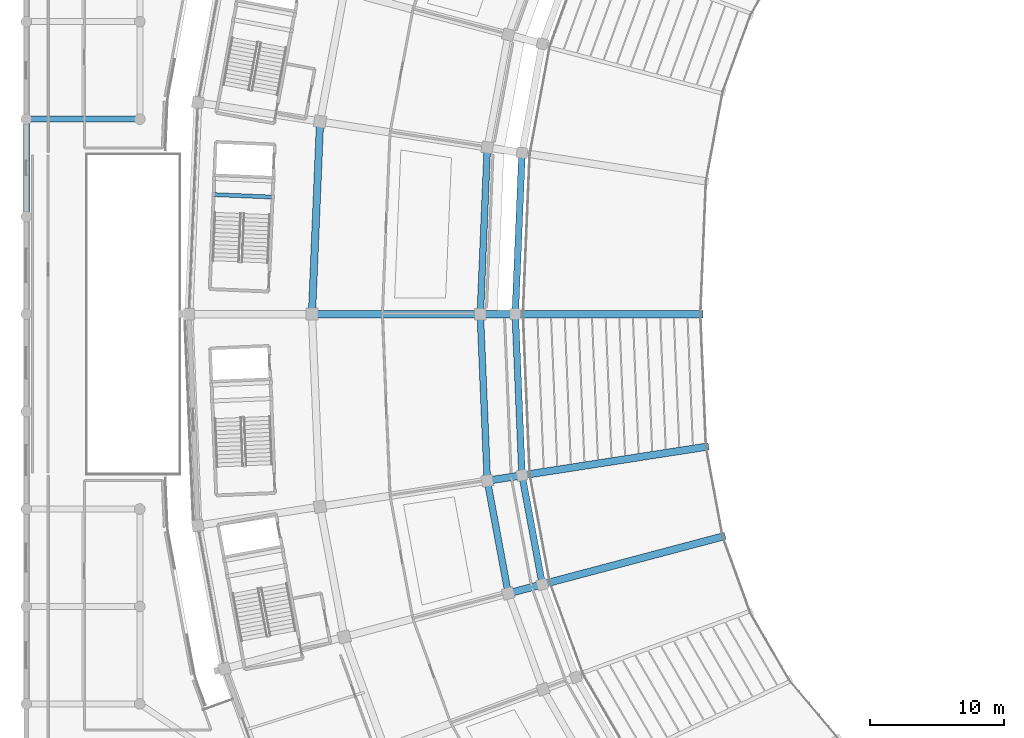
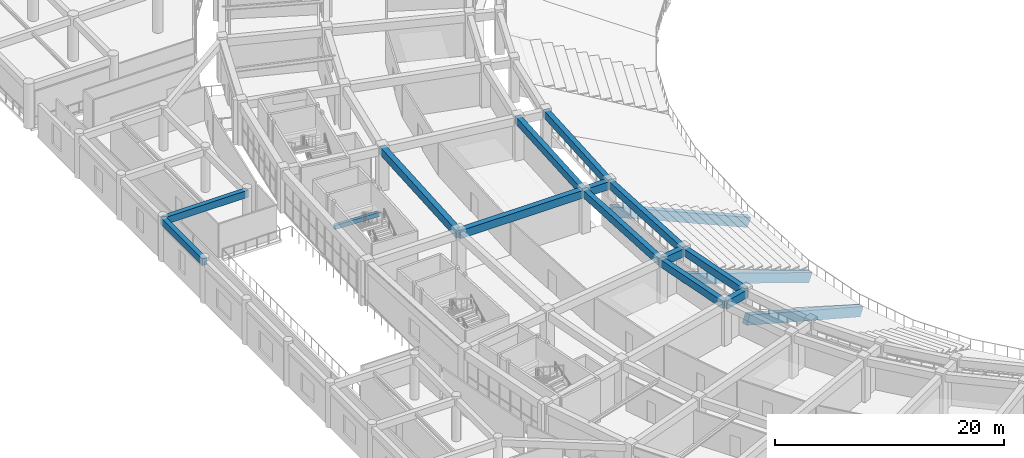
# One storey, part 29 of 152: 17 beams.
"""IFC4 building model written with IfcOpenShell, lengths in metres."""

from ifc_helpers import new_model, si_unit, direction, frame, origin, origin_2d, place, context, subcontext, project, spatial, rectangle, extrude, material, material_profile, profile_set, type_object, element, save


model = new_model("IFC4")

# Units and contexts
model_context = context("Model", 3, precision=1e-05, world=origin(), true_north=direction((0.0, 1.0)))
body_context = subcontext(model_context, "Body", "Model", "MODEL_VIEW")
ifc_project = project(units=[si_unit("LENGTHUNIT", "METRE"), si_unit("AREAUNIT", "SQUARE_METRE"), si_unit("VOLUMEUNIT", "CUBIC_METRE"), si_unit("PLANEANGLEUNIT", "RADIAN"), si_unit("MASSUNIT", "GRAM", prefix="KILO")], contexts=[model_context])

# Site, building, storey
site_placement = place(None, origin())
site = spatial("IfcSite", under=ifc_project, at=site_placement, CompositionType="ELEMENT")
building_placement = place(site_placement, origin())
building = spatial("IfcBuilding", under=site, at=building_placement, Name="Mphavela Belvedere Stadium", CompositionType="ELEMENT")
storey_placement = place(building_placement, frame((0.0, 0.0, 5.39990234375)))
storey = spatial("IfcBuildingStorey", under=building, at=storey_placement, Name="L01", CompositionType="ELEMENT", Elevation=5.39990234375)

# Beams
ifc_material_1 = material(Name="Precast concrete C45/55", Category="concrete")
ifc_material_profile_1 = material_profile(ifc_material_1, rectangle(XDim=0.550048828125, YDim=1.0, at=origin_2d()), Name="PC 550x1000")
ifc_profile_set_1 = profile_set([ifc_material_profile_1], Name="Precast concrete C45/55")
beam_type_1 = type_object("IfcBeamType", Name="BM-RAKER-LOWER", PredefinedType="USERDEFINED", material=ifc_profile_set_1)
beam_1_placement = place(storey_placement, frame((50.4951171875, 87.0, -4.75), z_axis=(-0.917816312637, 0.0, 0.397005310113), x_axis=(0.0, -1.0, 0.0)))
element("IfcBeam", 1, at=beam_1_placement, inside=storey, type_object=beam_type_1, Name="Lower tier precast raker beam RK-L-25", ObjectType="RAKER BEAM", PredefinedType="USERDEFINED", context=body_context, shape_type="SweptSolid", body=[
    extrude(rectangle(XDim=0.550048828125, YDim=1.0, at=origin_2d()), origin(), (0.0, 0.0, 1.0), 15.113037109375),
])
beam_2_placement = place(storey_placement, frame((50.911865234375, 77.0595703125, -4.75), z_axis=(-0.907737180871, -0.140804754034, 0.395205303236), x_axis=(0.153283098913, -0.988182316978, 0.0)))
element("IfcBeam", 2, at=beam_2_placement, inside=storey, type_object=beam_type_1, Name="Lower tier precast raker beam RK-L-26", ObjectType="RAKER BEAM", PredefinedType="USERDEFINED", context=body_context, shape_type="SweptSolid", body=[
    extrude(rectangle(XDim=0.550048828125, YDim=1.0, at=origin_2d()), origin(), (0.0, 0.0, 1.0), 15.181884765625),
])
beam_3_placement = place(storey_placement, frame((52.160888671875, 70.335693359375, -4.75), z_axis=(-0.888238697021, -0.235540206623, 0.394401861277), x_axis=(0.256317824851, -0.966592557732, 0.0)))
element("IfcBeam", 3, at=beam_3_placement, inside=storey, type_object=beam_type_1, Name="Lower tier precast raker beam RK-L-27", ObjectType="RAKER BEAM", PredefinedType="USERDEFINED", context=body_context, shape_type="SweptSolid", body=[
    extrude(rectangle(XDim=0.550048828125, YDim=1.0, at=origin_2d()), origin(), (0.0, 0.0, 1.0), 15.212890625),
])
ifc_material_2 = material(Name="Concrete C40/50", Category="concrete")
ifc_material_profile_2 = material_profile(ifc_material_2, rectangle(XDim=0.300048828125, YDim=0.449951171875, at=origin_2d()), Name="RC 300x450")
ifc_profile_set_2 = profile_set([ifc_material_profile_2], Name="Concrete C40/50")
beam_type_2 = type_object("IfcBeamType", Name="BM-RC300x450", PredefinedType="BEAM", material=ifc_profile_set_2)
beam_4_placement = place(storey_placement, frame((18.47021484375, 95.76318359375, 1.97509765625), z_axis=(-0.999122153252, 0.04189179968, 0.0), x_axis=(-0.04189179968, -0.999122153252, 0.0)))
element("IfcBeam", 4, at=beam_4_placement, inside=storey, type_object=beam_type_2, Name="Core C07 landing trimmer beam L01-1", PredefinedType="BEAM", context=body_context, shape_type="SweptSolid", body=[
    extrude(rectangle(XDim=0.300048828125, YDim=0.449951171875, at=origin_2d()), origin(), (0.0, 0.0, 1.0), 4.469970703125),
])
ifc_material_3 = material(Name="Concrete C40/50", Category="concrete")
ifc_material_profile_3 = material_profile(ifc_material_3, rectangle(XDim=0.449951171875, YDim=0.75, at=origin_2d()), Name="RC 450x750")
ifc_profile_set_3 = profile_set([ifc_material_profile_3], Name="Concrete C40/50")
beam_type_3 = type_object("IfcBeamType", Name="BM-RC450x750", PredefinedType="BEAM", material=ifc_profile_set_3)
beam_5_placement = place(storey_placement, frame((0.0, 94.300048828125, 4.1650390625), z_axis=(0.0, 1.0, 0.0), x_axis=(-1.0, 0.0, 0.0)))
element("IfcBeam", 5, at=beam_5_placement, inside=storey, type_object=beam_type_3, Name="West Planted Eaves Peristyle Colonnade entablature beam Y L01 1-7", PredefinedType="BEAM", context=body_context, shape_type="SweptSolid", body=[
    extrude(rectangle(XDim=0.449951171875, YDim=0.75, at=origin_2d()), origin(), (0.0, 0.0, 1.0), 7.300048828125),
])
beam_6_placement = place(storey_placement, frame((0.0, 101.60009765625, 4.1650390625), z_axis=(1.0, 0.0, 0.0), x_axis=(0.0, 1.0, 0.0)))
element("IfcBeam", 6, at=beam_6_placement, inside=storey, type_object=beam_type_3, Name="West Planted Eaves Peristyle Colonnade entablature beam X L01 1-8", PredefinedType="BEAM", context=body_context, shape_type="SweptSolid", body=[
    extrude(rectangle(XDim=0.449951171875, YDim=0.75, at=origin_2d()), origin(), (0.0, 0.0, 1.0), 8.5),
])
ifc_material_4 = material(Name="Concrete C40/50", Category="concrete")
ifc_material_profile_4 = material_profile(ifc_material_4, rectangle(XDim=0.5, YDim=0.800048828125, at=origin_2d()), Name="RC 500x800")
ifc_profile_set_4 = profile_set([ifc_material_profile_4], Name="Concrete C40/50")
beam_type_4 = type_object("IfcBeamType", Name="BM-RC500x800", PredefinedType="BEAM", material=ifc_profile_set_4)
beam_7_placement = place(storey_placement, frame((37.130615234375, 99.078125, 4.150146484375), z_axis=(-0.041906072647, -0.999121554705, 0.0), x_axis=(0.999121554705, -0.041906072647, 0.0)))
element("IfcBeam", 7, at=beam_7_placement, inside=storey, type_object=beam_type_4, Name="Circumferential girder L01 R1-24", PredefinedType="BEAM", context=body_context, shape_type="SweptSolid", body=[
    extrude(rectangle(XDim=0.5, YDim=0.800048828125, at=origin_2d()), origin(), (0.0, 0.0, 1.0), 12.088623046875),
])
beam_8_placement = place(storey_placement, frame((34.528564453125, 99.481689453125, 4.150146484375), z_axis=(-0.04191911123, -0.999121007743, 0.0), x_axis=(0.999121007743, -0.04191911123, 0.0)))
element("IfcBeam", 8, at=beam_8_placement, inside=storey, type_object=beam_type_4, Name="Circumferential girder L01 R2-24", PredefinedType="BEAM", context=body_context, shape_type="SweptSolid", body=[
    extrude(rectangle(XDim=0.5, YDim=0.800048828125, at=origin_2d()), origin(), (0.0, 0.0, 1.0), 12.49267578125),
])
beam_9_placement = place(storey_placement, frame((36.6240234375, 87.0, 4.150146484375), z_axis=(0.041906072647, -0.999121554705, 0.0), x_axis=(0.999121554705, 0.041906072647, 0.0)))
element("IfcBeam", 9, at=beam_9_placement, inside=storey, type_object=beam_type_4, Name="Circumferential girder L01 R1-25", PredefinedType="BEAM", context=body_context, shape_type="SweptSolid", body=[
    extrude(rectangle(XDim=0.5, YDim=0.800048828125, at=origin_2d()), origin(), (0.0, 0.0, 1.0), 12.088623046875),
])
beam_10_placement = place(storey_placement, frame((34.0048828125, 87.0, 4.150146484375), z_axis=(0.04191911123, -0.999121007743, 0.0), x_axis=(0.999121007743, 0.04191911123, 0.0)))
element("IfcBeam", 10, at=beam_10_placement, inside=storey, type_object=beam_type_4, Name="Circumferential girder L01 R2-25", PredefinedType="BEAM", context=body_context, shape_type="SweptSolid", body=[
    extrude(rectangle(XDim=0.5, YDim=0.800048828125, at=origin_2d()), origin(), (0.0, 0.0, 1.0), 12.49267578125),
])
beam_11_placement = place(storey_placement, frame((37.130615234375, 74.921875, 4.150146484375), z_axis=(0.182638448973, -0.983180144712, 0.0), x_axis=(0.983180144712, 0.182638448973, 0.0)))
element("IfcBeam", 11, at=beam_11_placement, inside=storey, type_object=beam_type_4, Name="Circumferential girder L01 R1-26", PredefinedType="BEAM", context=body_context, shape_type="SweptSolid", body=[
    extrude(rectangle(XDim=0.5, YDim=0.800048828125, at=origin_2d()), origin(), (0.0, 0.0, 1.0), 8.30908203125),
])
beam_12_placement = place(storey_placement, frame((34.528564453125, 74.518310546875, 4.150146484375), z_axis=(0.182614573179, -0.983184579651, 0.0), x_axis=(0.983184579651, 0.182614573179, 0.0)))
element("IfcBeam", 12, at=beam_12_placement, inside=storey, type_object=beam_type_4, Name="Circumferential girder L01 R2-26", PredefinedType="BEAM", context=body_context, shape_type="SweptSolid", body=[
    extrude(rectangle(XDim=0.5, YDim=0.800048828125, at=origin_2d()), origin(), (0.0, 0.0, 1.0), 8.5869140625),
])
ifc_material_5 = material(Name="Concrete C40/50", Category="concrete")
ifc_material_profile_5 = material_profile(ifc_material_5, rectangle(XDim=0.550048828125, YDim=0.85009765625, at=origin_2d()), Name="RC 550x850")
ifc_profile_set_5 = profile_set([ifc_material_profile_5], Name="Concrete C40/50")
beam_type_5 = type_object("IfcBeamType", Name="BM-RC550x850", PredefinedType="BEAM", material=ifc_profile_set_5)
beam_13_placement = place(storey_placement, frame((22.0, 101.4248046875, 4.125), z_axis=(-0.041903450766, -0.99912166467, 0.0), x_axis=(0.99912166467, -0.041903450766, 0.0)))
element("IfcBeam", 13, at=beam_13_placement, inside=storey, type_object=beam_type_5, Name="Circumferential girder L01 R3-24", PredefinedType="BEAM", context=body_context, shape_type="SweptSolid", body=[
    extrude(rectangle(XDim=0.550048828125, YDim=0.85009765625, at=origin_2d()), origin(), (0.0, 0.0, 1.0), 14.4375),
])
beam_14_placement = place(storey_placement, frame((36.6240234375, 87.0, 4.125), z_axis=(-1.0, 0.0, 0.0), x_axis=(0.0, -1.0, 0.0)))
element("IfcBeam", 14, at=beam_14_placement, inside=storey, type_object=beam_type_5, Name="Radial concourse girder L01 R1R2-25", PredefinedType="BEAM", context=body_context, shape_type="SweptSolid", body=[
    extrude(rectangle(XDim=0.550048828125, YDim=0.85009765625, at=origin_2d()), origin(), (0.0, 0.0, 1.0), 2.619140625),
])
beam_15_placement = place(storey_placement, frame((34.0048828125, 87.0, 4.125), z_axis=(-1.0, 0.0, 0.0), x_axis=(0.0, -1.0, 0.0)))
element("IfcBeam", 15, at=beam_15_placement, inside=storey, type_object=beam_type_5, Name="Radial concourse girder L01 R2R3-25", PredefinedType="BEAM", context=body_context, shape_type="SweptSolid", body=[
    extrude(rectangle(XDim=0.550048828125, YDim=0.85009765625, at=origin_2d()), origin(), (0.0, 0.0, 1.0), 12.60986328125),
])
beam_16_placement = place(storey_placement, frame((37.130615234375, 74.921875, 4.125), z_axis=(-0.988185527241, -0.153262401626, 0.0), x_axis=(0.153262401626, -0.988185527241, 0.0)))
element("IfcBeam", 16, at=beam_16_placement, inside=storey, type_object=beam_type_5, Name="Radial concourse girder L01 R1R2-26", PredefinedType="BEAM", context=body_context, shape_type="SweptSolid", body=[
    extrude(rectangle(XDim=0.550048828125, YDim=0.85009765625, at=origin_2d()), origin(), (0.0, 0.0, 1.0), 2.633056640625),
])
beam_17_placement = place(storey_placement, frame((38.648193359375, 66.75244140625, 4.125), z_axis=(-0.966577929986, -0.25637298076, 0.0), x_axis=(0.25637298076, -0.966577929986, 0.0)))
element("IfcBeam", 17, at=beam_17_placement, inside=storey, type_object=beam_type_5, Name="Radial concourse girder L01 R1R2-27", PredefinedType="BEAM", context=body_context, shape_type="SweptSolid", body=[
    extrude(rectangle(XDim=0.550048828125, YDim=0.85009765625, at=origin_2d()), origin(), (0.0, 0.0, 1.0), 2.6396484375),
])

save(model, "model.ifc")
